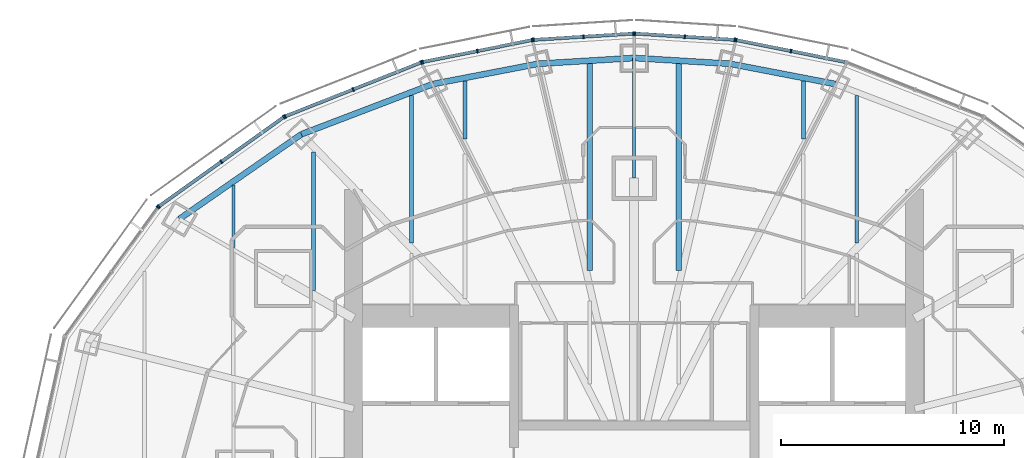
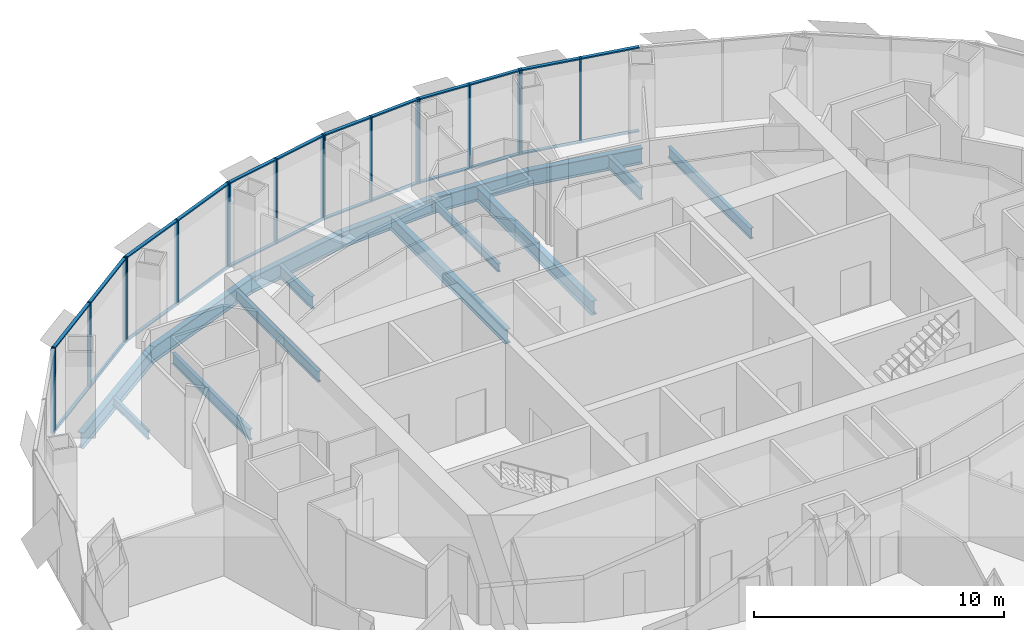
# One storey, part 8 of 18: 42 members, 15 beams, 7 elements without a shape of their own.
"""IFC4 building model written with IfcOpenShell, lengths in metres."""

from ifc_helpers import new_model, si_unit, direction, frame, origin, origin_2d, place, context, subcontext, project, spatial, rectangle, i_section, extrude, material, material_profile, profile_set, type_object, element, aggregate, save


model = new_model("IFC4")

# Units and contexts
model_context = context("Model", 3, precision=1e-05, world=origin(), true_north=direction((0.0, 1.0)))
body_context = subcontext(model_context, "Body", "Model", "MODEL_VIEW")
ifc_project = project(units=[si_unit("LENGTHUNIT", "METRE"), si_unit("AREAUNIT", "SQUARE_METRE"), si_unit("VOLUMEUNIT", "CUBIC_METRE"), si_unit("PLANEANGLEUNIT", "RADIAN"), si_unit("MASSUNIT", "GRAM", prefix="KILO")], contexts=[model_context])

# Site, building, storey
site_placement = place(None, origin())
site = spatial("IfcSite", under=ifc_project, at=site_placement, CompositionType="ELEMENT")
building_placement = place(site_placement, origin())
building = spatial("IfcBuilding", under=site, at=building_placement, Name="Lantaw Convention Tower", CompositionType="ELEMENT")
storey_placement = place(building_placement, frame((0.0, 0.0, 228.39990234375)))
storey = spatial("IfcBuildingStorey", under=building, at=storey_placement, Name="L53", CompositionType="ELEMENT", Elevation=228.39990234375)

# Beams
ifc_material_1 = material(Name="Steel ASTM A992", Category="steel")
ifc_material_profile_1 = material_profile(ifc_material_1, i_section(OverallWidth=0.2666015625, OverallDepth=0.76953125, WebThickness=0.015625, FlangeThickness=0.025390625, FilletRadius=0.0126953125, at=origin_2d()), Name="W30X132")
ifc_profile_set_1 = profile_set([ifc_material_profile_1], Name="Steel ASTM A992")
beam_type_1 = type_object("IfcBeamType", Name="Beam E W30X132", PredefinedType="SPANDREL", material=ifc_profile_set_1)
beam_1_placement = place(storey_placement, frame((9.03466796875, 17.7314453125, -0.53466796875), z_axis=(-0.981972091702, 0.189025953556, 0.0), x_axis=(-0.189025953556, -0.981972091702, 0.0)))
element("IfcBeam", 1, at=beam_1_placement, inside=storey, type_object=beam_type_1, Name="Edge beam 5", PredefinedType="SPANDREL", context=body_context, shape_type="SweptSolid", body=[
    extrude(i_section(OverallWidth=0.2666015625, OverallDepth=0.76953125, WebThickness=0.015625, FlangeThickness=0.025390625, FilletRadius=0.0126953125, at=origin_2d()), origin(), (0.0, 0.0, 1.0), 4.817626953125),
])
for number, where, z_axis, x_axis, name in (
    (2, (4.303955078125, 18.64208984375, -0.53466796875), (-0.998210730897, 0.059794119452, 0.0), (-0.059794119452, -0.998210730897, 0.0), "Edge beam 6"),
    (3, (0.0, 18.89990234375, -0.53466796875), (-0.998210730897, -0.059794119452, 0.0), (0.059794119452, -0.998210730897, 0.0), "Edge beam 7"),
):
    element("IfcBeam", number, at=place(storey_placement, frame(where, z_axis=z_axis, x_axis=x_axis)), inside=storey, type_object=beam_type_1, Name=name, PredefinedType="SPANDREL", context=body_context, shape_type="SweptSolid", body=[
        extrude(i_section(OverallWidth=0.2666015625, OverallDepth=0.76953125, WebThickness=0.015625, FlangeThickness=0.025390625, FilletRadius=0.0126953125, at=origin_2d()), origin(), (0.0, 0.0, 1.0), 4.311767578125),
    ])
beam_2_placement = place(storey_placement, frame((-4.303955078125, 18.64208984375, -0.53466796875), z_axis=(-0.981972091702, -0.189025953556, 0.0), x_axis=(0.189025953556, -0.981972091702, 0.0)))
element("IfcBeam", 4, at=beam_2_placement, inside=storey, type_object=beam_type_1, Name="Edge beam 8", PredefinedType="SPANDREL", context=body_context, shape_type="SweptSolid", body=[
    extrude(i_section(OverallWidth=0.2666015625, OverallDepth=0.76953125, WebThickness=0.015625, FlangeThickness=0.025390625, FilletRadius=0.0126953125, at=origin_2d()), origin(), (0.0, 0.0, 1.0), 4.817626953125),
])
beam_3_placement = place(storey_placement, frame((-9.03466796875, 17.7314453125, -0.53466796875), z_axis=(-0.934234988, -0.356658081637, 0.0), x_axis=(0.356658081637, -0.934234988, 0.0)))
element("IfcBeam", 5, at=beam_3_placement, inside=storey, type_object=beam_type_1, Name="Edge beam 9", PredefinedType="SPANDREL", context=body_context, shape_type="SweptSolid", body=[
    extrude(i_section(OverallWidth=0.2666015625, OverallDepth=0.76953125, WebThickness=0.015625, FlangeThickness=0.025390625, FilletRadius=0.0126953125, at=origin_2d()), origin(), (0.0, 0.0, 1.0), 6.32568359375),
])
beam_4_placement = place(storey_placement, frame((-14.9443359375, 15.475341796875, -0.53466796875), z_axis=(-0.82135329406, -0.570419815869, 0.0), x_axis=(0.570419815869, -0.82135329406, 0.0)))
element("IfcBeam", 6, at=beam_4_placement, inside=storey, type_object=beam_type_1, Name="Edge beam 10", PredefinedType="SPANDREL", context=body_context, shape_type="SweptSolid", body=[
    extrude(i_section(OverallWidth=0.2666015625, OverallDepth=0.76953125, WebThickness=0.015625, FlangeThickness=0.025390625, FilletRadius=0.0126953125, at=origin_2d()), origin(), (0.0, 0.0, 1.0), 6.67041015625),
])
ifc_material_profile_2 = material_profile(ifc_material_1, i_section(OverallWidth=0.140380859375, OverallDepth=0.40380859375, WebThickness=0.007080078125, FlangeThickness=0.01123046875, FilletRadius=0.01025390625, at=origin_2d()), Name="W16X31")
ifc_profile_set_2 = profile_set([ifc_material_profile_2], Name="Steel ASTM A992")
beam_type_2 = type_object("IfcBeamType", Name="Beam G W16X31", PredefinedType="BEAM", material=ifc_profile_set_2)
beam_5_placement = place(storey_placement, frame((0.0, 13.5, -0.351806640625), z_axis=(0.0, 1.0, 0.0), x_axis=(-1.0, 0.0, 0.0)))
element("IfcBeam", 7, at=beam_5_placement, inside=storey, type_object=beam_type_2, Name="Floor girder on ray 7", PredefinedType="BEAM", context=body_context, shape_type="SweptSolid", body=[
    extrude(i_section(OverallWidth=0.140380859375, OverallDepth=0.40380859375, WebThickness=0.007080078125, FlangeThickness=0.01123046875, FilletRadius=0.01025390625, at=origin_2d()), origin(), (0.0, 0.0, 1.0), 5.39990234375),
])
ifc_material_profile_3 = material_profile(ifc_material_1, i_section(OverallWidth=0.140380859375, OverallDepth=0.40380859375, WebThickness=0.007080078125, FlangeThickness=0.01123046875, FilletRadius=0.01025390625, at=origin_2d()), Name="W16X31")
ifc_profile_set_3 = profile_set([ifc_material_profile_3], Name="Steel ASTM A992")
beam_type_3 = type_object("IfcBeamType", Name="Beam J W16X31", PredefinedType="JOIST", material=ifc_profile_set_3)
beam_6_placement = place(storey_placement, frame((-18.0, 10.380859375, -0.351806640625), z_axis=(0.0, 1.0, 0.0), x_axis=(-1.0, 0.0, 0.0)))
element("IfcBeam", 8, at=beam_6_placement, inside=storey, type_object=beam_type_3, Name="Floor joist", PredefinedType="JOIST", context=body_context, shape_type="SweptSolid", body=[
    extrude(i_section(OverallWidth=0.140380859375, OverallDepth=0.40380859375, WebThickness=0.007080078125, FlangeThickness=0.01123046875, FilletRadius=0.01025390625, at=origin_2d()), origin(), (0.0, 0.0, 1.0), 2.81005859375),
])
ifc_material_profile_4 = material_profile(ifc_material_1, i_section(OverallWidth=0.1650390625, OverallDepth=0.52587890625, WebThickness=0.0087890625, FlangeThickness=0.011474609375, FilletRadius=0.0126953125, at=origin_2d()), Name="W21X44")
ifc_profile_set_4 = profile_set([ifc_material_profile_4], Name="Steel ASTM A992")
beam_type_4 = type_object("IfcBeamType", Name="Beam J W21X44", PredefinedType="JOIST", material=ifc_profile_set_4)
beam_7_placement = place(storey_placement, frame((-14.39990234375, 8.461181640625, -0.412841796875), z_axis=(0.0, 1.0, 0.0), x_axis=(-1.0, 0.0, 0.0)))
element("IfcBeam", 9, at=beam_7_placement, inside=storey, type_object=beam_type_4, Name="Floor joist", PredefinedType="JOIST", context=body_context, shape_type="SweptSolid", body=[
    extrude(i_section(OverallWidth=0.1650390625, OverallDepth=0.52587890625, WebThickness=0.0087890625, FlangeThickness=0.011474609375, FilletRadius=0.0126953125, at=origin_2d()), origin(), (0.0, 0.0, 1.0), 6.214599609375),
])
for number, where, z_axis, x_axis, name in (
    (10, (-10.0, 10.591064453125, -0.412841796875), (0.0, 1.0, 0.0), (-1.0, 0.0, 0.0), "Floor joist"),
    (11, (10.0, 10.591064453125, -0.412841796875), (0.0, 1.0, 0.0), (-1.0, 0.0, 0.0), "Floor joist"),
):
    element("IfcBeam", number, at=place(storey_placement, frame(where, z_axis=z_axis, x_axis=x_axis)), inside=storey, type_object=beam_type_4, Name=name, PredefinedType="JOIST", context=body_context, shape_type="SweptSolid", body=[
        extrude(i_section(OverallWidth=0.1650390625, OverallDepth=0.52587890625, WebThickness=0.0087890625, FlangeThickness=0.011474609375, FilletRadius=0.0126953125, at=origin_2d()), origin(), (0.0, 0.0, 1.0), 6.629150390625),
    ])
ifc_material_profile_5 = material_profile(ifc_material_1, i_section(OverallWidth=0.177978515625, OverallDepth=0.599365234375, WebThickness=0.010009765625, FlangeThickness=0.012939453125, FilletRadius=0.012939453125, at=origin_2d()), Name="W24X55")
ifc_profile_set_5 = profile_set([ifc_material_profile_5], Name="Steel ASTM A992")
beam_type_5 = type_object("IfcBeamType", Name="Beam J W24X55", PredefinedType="JOIST", material=ifc_profile_set_5)
for number, where, z_axis, x_axis, name in (
    (12, (-7.60009765625, 15.25439453125, -0.44970703125), (0.0, 1.0, 0.0), (-1.0, 0.0, 0.0), "Floor joist"),
    (13, (7.60009765625, 15.25439453125, -0.44970703125), (0.0, 1.0, 0.0), (-1.0, 0.0, 0.0), "Floor joist"),
):
    element("IfcBeam", number, at=place(storey_placement, frame(where, z_axis=z_axis, x_axis=x_axis)), inside=storey, type_object=beam_type_5, Name=name, PredefinedType="JOIST", context=body_context, shape_type="SweptSolid", body=[
        extrude(i_section(OverallWidth=0.177978515625, OverallDepth=0.599365234375, WebThickness=0.010009765625, FlangeThickness=0.012939453125, FilletRadius=0.012939453125, at=origin_2d()), origin(), (0.0, 0.0, 1.0), 2.617431640625),
    ])
ifc_material_profile_6 = material_profile(ifc_material_1, i_section(OverallWidth=0.25390625, OverallDepth=0.683349609375, WebThickness=0.012451171875, FlangeThickness=0.01904296875, FilletRadius=0.01513671875, at=origin_2d()), Name="W27X94")
ifc_profile_set_6 = profile_set([ifc_material_profile_6], Name="Steel ASTM A992")
beam_type_6 = type_object("IfcBeamType", Name="Beam J W27X94", PredefinedType="JOIST", material=ifc_profile_set_6)
for number, where, z_axis, x_axis, name in (
    (14, (-2.0, 9.34619140625, -0.491455078125), (0.0, 1.0, 0.0), (-1.0, 0.0, 0.0), "Floor joist"),
    (15, (2.0, 9.34619140625, -0.491455078125), (0.0, 1.0, 0.0), (-1.0, 0.0, 0.0), "Floor joist"),
):
    element("IfcBeam", number, at=place(storey_placement, frame(where, z_axis=z_axis, x_axis=x_axis)), inside=storey, type_object=beam_type_6, Name=name, PredefinedType="JOIST", context=body_context, shape_type="SweptSolid", body=[
        extrude(i_section(OverallWidth=0.25390625, OverallDepth=0.683349609375, WebThickness=0.012451171875, FlangeThickness=0.01904296875, FilletRadius=0.01513671875, at=origin_2d()), origin(), (0.0, 0.0, 1.0), 9.30029296875),
    ])

# Curtain wall, members
ifc_material_2 = material(Name="Aluminium framed curtain wall", Category="aluminium")
curtain_wall_type = type_object("IfcCurtainWallType", Name="Office curtain wall high rise, pale aluminium", PredefinedType="USERDEFINED", material=ifc_material_2)
curtain_wall_1_placement = place(storey_placement, origin())
curtain_wall_1 = element("IfcCurtainWall", 16, at=curtain_wall_1_placement, inside=storey, type_object=curtain_wall_type, Name="Office curtain wall high rise, pale aluminium L53", ObjectType="UNITISED CURTAIN WALL", PredefinedType="USERDEFINED")
ifc_material_3 = material(Name="Aluminium 6063-T6", Category="aluminium")
ifc_material_profile_7 = material_profile(ifc_material_3, rectangle(XDim=0.179931640625, YDim=0.06494140625, at=origin_2d()), Name="CW-O2 mullion 65x180")
ifc_profile_set_7 = profile_set([ifc_material_profile_7], Name="Aluminium 6063-T6")
member_type_1 = type_object("IfcMemberType", Name="CW-O2 mullion 65x180", PredefinedType="MULLION", material=ifc_profile_set_7)
member_1_placement = place(storey_placement, frame((7.042724609375, 19.212646484375, -0.14990234375), z_axis=(0.0, 0.0, 1.0), x_axis=(-0.197183095987, -0.980366679695, 0.0)))
member_1 = element("IfcMember", 17, at=member_1_placement, type_object=member_type_1, Name="CW-O2 mullion 2", PredefinedType="MULLION", context=body_context, shape_type="SweptSolid", body=[
    extrude(rectangle(XDim=0.179931640625, YDim=0.06494140625, at=origin_2d()), origin(), (0.0, 0.0, 1.0), 4.14990234375),
])
member_2_placement = place(storey_placement, frame((4.583251953125, 19.70751953125, -0.14990234375), z_axis=(0.0, 0.0, 1.0), x_axis=(-0.197183095987, -0.980366679695, 0.0)))
member_2 = element("IfcMember", 18, at=member_2_placement, type_object=member_type_1, Name="CW-O2 mullion 3", PredefinedType="MULLION", context=body_context, shape_type="SweptSolid", body=[
    extrude(rectangle(XDim=0.179931640625, YDim=0.06494140625, at=origin_2d()), origin(), (0.0, 0.0, 1.0), 4.14990234375),
])

curtain_wall_2_placement = place(storey_placement, origin())
curtain_wall_2 = element("IfcCurtainWall", 19, at=curtain_wall_2_placement, inside=storey, type_object=curtain_wall_type, Name="Office curtain wall high rise, pale aluminium L53", ObjectType="UNITISED CURTAIN WALL", PredefinedType="USERDEFINED")
member_3_placement = place(storey_placement, frame((4.518798828125, 19.7158203125, -0.14990234375), z_axis=(0.0, 0.0, 1.0), x_axis=(-0.062757983884, -0.998028774865, 0.0)))
member_3 = element("IfcMember", 20, at=member_3_placement, type_object=member_type_1, Name="CW-O2 mullion 1", PredefinedType="MULLION", context=body_context, shape_type="SweptSolid", body=[
    extrude(rectangle(XDim=0.179931640625, YDim=0.06494140625, at=origin_2d()), origin(), (0.0, 0.0, 1.0), 4.14990234375),
])
member_4_placement = place(storey_placement, frame((2.275634765625, 19.85693359375, -0.14990234375), z_axis=(0.0, 0.0, 1.0), x_axis=(-0.062757983884, -0.998028774865, 0.0)))
member_4 = element("IfcMember", 21, at=member_4_placement, type_object=member_type_1, Name="CW-O2 mullion 2", PredefinedType="MULLION", context=body_context, shape_type="SweptSolid", body=[
    extrude(rectangle(XDim=0.179931640625, YDim=0.06494140625, at=origin_2d()), origin(), (0.0, 0.0, 1.0), 4.14990234375),
])
member_5_placement = place(storey_placement, frame((0.032470703125, 19.998046875, -0.14990234375), z_axis=(0.0, 0.0, 1.0), x_axis=(-0.062757983884, -0.998028774865, 0.0)))
member_5 = element("IfcMember", 22, at=member_5_placement, type_object=member_type_1, Name="CW-O2 mullion 3", PredefinedType="MULLION", context=body_context, shape_type="SweptSolid", body=[
    extrude(rectangle(XDim=0.179931640625, YDim=0.06494140625, at=origin_2d()), origin(), (0.0, 0.0, 1.0), 4.14990234375),
])

curtain_wall_3_placement = place(storey_placement, origin())
curtain_wall_3 = element("IfcCurtainWall", 23, at=curtain_wall_3_placement, inside=storey, type_object=curtain_wall_type, Name="Office curtain wall high rise, pale aluminium L53", ObjectType="UNITISED CURTAIN WALL", PredefinedType="USERDEFINED")
member_6_placement = place(storey_placement, frame((-0.032470703125, 19.998046875, -0.14990234375), z_axis=(0.0, 0.0, 1.0), x_axis=(0.062757983884, -0.998028774865, 0.0)))
member_6 = element("IfcMember", 24, at=member_6_placement, type_object=member_type_1, Name="CW-O2 mullion 1", PredefinedType="MULLION", context=body_context, shape_type="SweptSolid", body=[
    extrude(rectangle(XDim=0.179931640625, YDim=0.06494140625, at=origin_2d()), origin(), (0.0, 0.0, 1.0), 4.14990234375),
])
member_7_placement = place(storey_placement, frame((-2.275634765625, 19.85693359375, -0.14990234375), z_axis=(0.0, 0.0, 1.0), x_axis=(0.062757983884, -0.998028774865, 0.0)))
member_7 = element("IfcMember", 25, at=member_7_placement, type_object=member_type_1, Name="CW-O2 mullion 2", PredefinedType="MULLION", context=body_context, shape_type="SweptSolid", body=[
    extrude(rectangle(XDim=0.179931640625, YDim=0.06494140625, at=origin_2d()), origin(), (0.0, 0.0, 1.0), 4.14990234375),
])
member_8_placement = place(storey_placement, frame((-4.518798828125, 19.7158203125, -0.14990234375), z_axis=(0.0, 0.0, 1.0), x_axis=(0.062757983884, -0.998028774865, 0.0)))
member_8 = element("IfcMember", 26, at=member_8_placement, type_object=member_type_1, Name="CW-O2 mullion 3", PredefinedType="MULLION", context=body_context, shape_type="SweptSolid", body=[
    extrude(rectangle(XDim=0.179931640625, YDim=0.06494140625, at=origin_2d()), origin(), (0.0, 0.0, 1.0), 4.14990234375),
])

curtain_wall_4_placement = place(storey_placement, origin())
curtain_wall_4 = element("IfcCurtainWall", 27, at=curtain_wall_4_placement, inside=storey, type_object=curtain_wall_type, Name="Office curtain wall high rise, pale aluminium L53", ObjectType="UNITISED CURTAIN WALL", PredefinedType="USERDEFINED")
member_9_placement = place(storey_placement, frame((-4.583251953125, 19.70751953125, -0.14990234375), z_axis=(0.0, 0.0, 1.0), x_axis=(0.197183095987, -0.980366679695, 0.0)))
member_9 = element("IfcMember", 28, at=member_9_placement, type_object=member_type_1, Name="CW-O2 mullion 1", PredefinedType="MULLION", context=body_context, shape_type="SweptSolid", body=[
    extrude(rectangle(XDim=0.179931640625, YDim=0.06494140625, at=origin_2d()), origin(), (0.0, 0.0, 1.0), 4.14990234375),
])
member_10_placement = place(storey_placement, frame((-7.042724609375, 19.212646484375, -0.14990234375), z_axis=(0.0, 0.0, 1.0), x_axis=(0.197183095987, -0.980366679695, 0.0)))
member_10 = element("IfcMember", 29, at=member_10_placement, type_object=member_type_1, Name="CW-O2 mullion 2", PredefinedType="MULLION", context=body_context, shape_type="SweptSolid", body=[
    extrude(rectangle(XDim=0.179931640625, YDim=0.06494140625, at=origin_2d()), origin(), (0.0, 0.0, 1.0), 4.14990234375),
])
member_11_placement = place(storey_placement, frame((-9.502197265625, 18.718017578125, -0.14990234375), z_axis=(0.0, 0.0, 1.0), x_axis=(0.197183095987, -0.980366679695, 0.0)))
member_11 = element("IfcMember", 30, at=member_11_placement, type_object=member_type_1, Name="CW-O2 mullion 3", PredefinedType="MULLION", context=body_context, shape_type="SweptSolid", body=[
    extrude(rectangle(XDim=0.179931640625, YDim=0.06494140625, at=origin_2d()), origin(), (0.0, 0.0, 1.0), 4.14990234375),
])

curtain_wall_5_placement = place(storey_placement, origin())
curtain_wall_5 = element("IfcCurtainWall", 31, at=curtain_wall_5_placement, inside=storey, type_object=curtain_wall_type, Name="Office curtain wall high rise, pale aluminium L53", ObjectType="UNITISED CURTAIN WALL", PredefinedType="USERDEFINED")
member_12_placement = place(storey_placement, frame((-9.564208984375, 18.69970703125, -0.14990234375), z_axis=(0.0, 0.0, 1.0), x_axis=(0.368162315252, -0.929761533743, 0.0)))
member_12 = element("IfcMember", 32, at=member_12_placement, type_object=member_type_1, Name="CW-O2 mullion 1", PredefinedType="MULLION", context=body_context, shape_type="SweptSolid", body=[
    extrude(rectangle(XDim=0.179931640625, YDim=0.06494140625, at=origin_2d()), origin(), (0.0, 0.0, 1.0), 4.14990234375),
])
member_13_placement = place(storey_placement, frame((-12.621337890625, 17.4892578125, -0.14990234375), z_axis=(0.0, 0.0, 1.0), x_axis=(0.368162315252, -0.929761533743, 0.0)))
member_13 = element("IfcMember", 33, at=member_13_placement, type_object=member_type_1, Name="CW-O2 mullion 2", PredefinedType="MULLION", context=body_context, shape_type="SweptSolid", body=[
    extrude(rectangle(XDim=0.179931640625, YDim=0.06494140625, at=origin_2d()), origin(), (0.0, 0.0, 1.0), 4.14990234375),
])
member_14_placement = place(storey_placement, frame((-15.67822265625, 16.278564453125, -0.14990234375), z_axis=(0.0, 0.0, 1.0), x_axis=(0.368162315252, -0.929761533743, 0.0)))
member_14 = element("IfcMember", 34, at=member_14_placement, type_object=member_type_1, Name="CW-O2 mullion 3", PredefinedType="MULLION", context=body_context, shape_type="SweptSolid", body=[
    extrude(rectangle(XDim=0.179931640625, YDim=0.06494140625, at=origin_2d()), origin(), (0.0, 0.0, 1.0), 4.14990234375),
])

curtain_wall_6_placement = place(storey_placement, origin())
curtain_wall_6 = element("IfcCurtainWall", 35, at=curtain_wall_6_placement, inside=storey, type_object=curtain_wall_type, Name="Office curtain wall high rise, pale aluminium L53", ObjectType="UNITISED CURTAIN WALL", PredefinedType="USERDEFINED")
member_15_placement = place(storey_placement, frame((-15.73486328125, 16.247802734375, -0.14990234375), z_axis=(0.0, 0.0, 1.0), x_axis=(0.581323487281, -0.813672540482, 0.0)))
member_15 = element("IfcMember", 36, at=member_15_placement, type_object=member_type_1, Name="CW-O2 mullion 1", PredefinedType="MULLION", context=body_context, shape_type="SweptSolid", body=[
    extrude(rectangle(XDim=0.179931640625, YDim=0.06494140625, at=origin_2d()), origin(), (0.0, 0.0, 1.0), 4.14990234375),
])
member_16_placement = place(storey_placement, frame((-18.543212890625, 14.241455078125, -0.14990234375), z_axis=(0.0, 0.0, 1.0), x_axis=(0.581323487281, -0.813672540482, 0.0)))
member_16 = element("IfcMember", 37, at=member_16_placement, type_object=member_type_1, Name="CW-O2 mullion 2", PredefinedType="MULLION", context=body_context, shape_type="SweptSolid", body=[
    extrude(rectangle(XDim=0.179931640625, YDim=0.06494140625, at=origin_2d()), origin(), (0.0, 0.0, 1.0), 4.14990234375),
])
member_17_placement = place(storey_placement, frame((-21.3515625, 12.23486328125, -0.14990234375), z_axis=(0.0, 0.0, 1.0), x_axis=(0.581323487281, -0.813672540482, 0.0)))
member_17 = element("IfcMember", 38, at=member_17_placement, type_object=member_type_1, Name="CW-O2 mullion 3", PredefinedType="MULLION", context=body_context, shape_type="SweptSolid", body=[
    extrude(rectangle(XDim=0.179931640625, YDim=0.06494140625, at=origin_2d()), origin(), (0.0, 0.0, 1.0), 4.14990234375),
])

# Curtain wall, member
curtain_wall_7_placement = place(storey_placement, origin())
curtain_wall_7 = element("IfcCurtainWall", 39, at=curtain_wall_7_placement, inside=storey, type_object=curtain_wall_type, Name="Office curtain wall high rise, pale aluminium L53", ObjectType="UNITISED CURTAIN WALL", PredefinedType="USERDEFINED")
member_18_placement = place(storey_placement, frame((-21.397216796875, 12.189697265625, -0.14990234375), z_axis=(0.0, 0.0, 1.0), x_axis=(0.810919559405, -0.585157643865, 0.0)))
member_18 = element("IfcMember", 40, at=member_18_placement, type_object=member_type_1, Name="CW-O2 mullion 1", PredefinedType="MULLION", context=body_context, shape_type="SweptSolid", body=[
    extrude(rectangle(XDim=0.179931640625, YDim=0.06494140625, at=origin_2d()), origin(), (0.0, 0.0, 1.0), 4.14990234375),
])
aggregate(curtain_wall_7, [member_18])

# Member
ifc_material_profile_8 = material_profile(ifc_material_3, rectangle(XDim=0.14990234375, YDim=0.06494140625, at=origin_2d()), Name="CW-O2 transom 65x150")
ifc_profile_set_8 = profile_set([ifc_material_profile_8], Name="Aluminium 6063-T6")
member_type_2 = type_object("IfcMemberType", Name="CW-O2 transom 65x150", PredefinedType="USERDEFINED", material=ifc_profile_set_8)
member_19_placement = place(storey_placement, frame((9.47021484375, 18.724365234375, -0.117431640625), z_axis=(-0.98036104319, 0.197211117829, 0.0), x_axis=(-0.197211117829, -0.98036104319, 0.0)))
member_19 = element("IfcMember", 41, at=member_19_placement, type_object=member_type_2, Name="CW-O2 transom 1.1", ObjectType="TRANSOM", PredefinedType="USERDEFINED", context=body_context, shape_type="SweptSolid", body=[
    extrude(rectangle(XDim=0.14990234375, YDim=0.06494140625, at=origin_2d()), origin(), (0.0, 0.0, 1.0), 2.44384765625),
])

member_20_placement = place(storey_placement, frame((9.47021484375, 18.724365234375, 3.967529296875), z_axis=(-0.98036104319, 0.197211117829, 0.0), x_axis=(-0.197211117829, -0.98036104319, 0.0)))
member_20 = element("IfcMember", 42, at=member_20_placement, type_object=member_type_2, Name="CW-O2 transom 1.2", ObjectType="TRANSOM", PredefinedType="USERDEFINED", context=body_context, shape_type="SweptSolid", body=[
    extrude(rectangle(XDim=0.14990234375, YDim=0.06494140625, at=origin_2d()), origin(), (0.0, 0.0, 1.0), 2.44384765625),
])

member_21_placement = place(storey_placement, frame((7.0107421875, 19.21923828125, -0.117431640625), z_axis=(-0.980380354178, 0.197115096178, 0.0), x_axis=(-0.197115096178, -0.980380354178, 0.0)))
member_21 = element("IfcMember", 43, at=member_21_placement, type_object=member_type_2, Name="CW-O2 transom 2.1", ObjectType="TRANSOM", PredefinedType="USERDEFINED", context=body_context, shape_type="SweptSolid", body=[
    extrude(rectangle(XDim=0.14990234375, YDim=0.06494140625, at=origin_2d()), origin(), (0.0, 0.0, 1.0), 2.443603515625),
])

member_22_placement = place(storey_placement, frame((7.0107421875, 19.21923828125, 3.967529296875), z_axis=(-0.980380354178, 0.197115096178, 0.0), x_axis=(-0.197115096178, -0.980380354178, 0.0)))
member_22 = element("IfcMember", 44, at=member_22_placement, type_object=member_type_2, Name="CW-O2 transom 2.2", ObjectType="TRANSOM", PredefinedType="USERDEFINED", context=body_context, shape_type="SweptSolid", body=[
    extrude(rectangle(XDim=0.14990234375, YDim=0.06494140625, at=origin_2d()), origin(), (0.0, 0.0, 1.0), 2.443603515625),
])

aggregate(curtain_wall_1, [member_1, member_2, member_19, member_20, member_21, member_22])

member_23_placement = place(storey_placement, frame((4.486328125, 19.7177734375, -0.117431640625), z_axis=(-0.998021991509, 0.062865765437, 0.0), x_axis=(-0.062865765437, -0.998021991509, 0.0)))
member_23 = element("IfcMember", 45, at=member_23_placement, type_object=member_type_2, Name="CW-O2 transom 1.1", ObjectType="TRANSOM", PredefinedType="USERDEFINED", context=body_context, shape_type="SweptSolid", body=[
    extrude(rectangle(XDim=0.14990234375, YDim=0.06494140625, at=origin_2d()), origin(), (0.0, 0.0, 1.0), 2.1826171875),
])

member_24_placement = place(storey_placement, frame((4.486328125, 19.7177734375, 3.967529296875), z_axis=(-0.998021991509, 0.062865765437, 0.0), x_axis=(-0.062865765437, -0.998021991509, 0.0)))
member_24 = element("IfcMember", 46, at=member_24_placement, type_object=member_type_2, Name="CW-O2 transom 1.2", ObjectType="TRANSOM", PredefinedType="USERDEFINED", context=body_context, shape_type="SweptSolid", body=[
    extrude(rectangle(XDim=0.14990234375, YDim=0.06494140625, at=origin_2d()), origin(), (0.0, 0.0, 1.0), 2.1826171875),
])

member_25_placement = place(storey_placement, frame((2.2431640625, 19.85888671875, -0.117431640625), z_axis=(-0.998029003644, 0.062754345555, 0.0), x_axis=(-0.062754345555, -0.998029003644, 0.0)))
member_25 = element("IfcMember", 47, at=member_25_placement, type_object=member_type_2, Name="CW-O2 transom 2.1", ObjectType="TRANSOM", PredefinedType="USERDEFINED", context=body_context, shape_type="SweptSolid", body=[
    extrude(rectangle(XDim=0.14990234375, YDim=0.06494140625, at=origin_2d()), origin(), (0.0, 0.0, 1.0), 2.1826171875),
])

member_26_placement = place(storey_placement, frame((2.2431640625, 19.85888671875, 3.967529296875), z_axis=(-0.998029003644, 0.062754345555, 0.0), x_axis=(-0.062754345555, -0.998029003644, 0.0)))
member_26 = element("IfcMember", 48, at=member_26_placement, type_object=member_type_2, Name="CW-O2 transom 2.2", ObjectType="TRANSOM", PredefinedType="USERDEFINED", context=body_context, shape_type="SweptSolid", body=[
    extrude(rectangle(XDim=0.14990234375, YDim=0.06494140625, at=origin_2d()), origin(), (0.0, 0.0, 1.0), 2.1826171875),
])

aggregate(curtain_wall_2, [member_3, member_4, member_5, member_23, member_24, member_25, member_26])

member_27_placement = place(storey_placement, frame((-0.06494140625, 19.995849609375, -0.117431640625), z_axis=(-0.998029003644, -0.062754345555, 0.0), x_axis=(0.062754345555, -0.998029003644, 0.0)))
member_27 = element("IfcMember", 49, at=member_27_placement, type_object=member_type_2, Name="CW-O2 transom 1.1", ObjectType="TRANSOM", PredefinedType="USERDEFINED", context=body_context, shape_type="SweptSolid", body=[
    extrude(rectangle(XDim=0.14990234375, YDim=0.06494140625, at=origin_2d()), origin(), (0.0, 0.0, 1.0), 2.1826171875),
])

member_28_placement = place(storey_placement, frame((-0.06494140625, 19.995849609375, 3.967529296875), z_axis=(-0.998029003644, -0.062754345555, 0.0), x_axis=(0.062754345555, -0.998029003644, 0.0)))
member_28 = element("IfcMember", 50, at=member_28_placement, type_object=member_type_2, Name="CW-O2 transom 1.2", ObjectType="TRANSOM", PredefinedType="USERDEFINED", context=body_context, shape_type="SweptSolid", body=[
    extrude(rectangle(XDim=0.14990234375, YDim=0.06494140625, at=origin_2d()), origin(), (0.0, 0.0, 1.0), 2.1826171875),
])

member_29_placement = place(storey_placement, frame((-2.30810546875, 19.85498046875, -0.117431640625), z_axis=(-0.998021991509, -0.062865765437, 0.0), x_axis=(0.062865765437, -0.998021991509, 0.0)))
member_29 = element("IfcMember", 51, at=member_29_placement, type_object=member_type_2, Name="CW-O2 transom 2.1", ObjectType="TRANSOM", PredefinedType="USERDEFINED", context=body_context, shape_type="SweptSolid", body=[
    extrude(rectangle(XDim=0.14990234375, YDim=0.06494140625, at=origin_2d()), origin(), (0.0, 0.0, 1.0), 2.1826171875),
])

member_30_placement = place(storey_placement, frame((-2.30810546875, 19.85498046875, 3.967529296875), z_axis=(-0.998021991509, -0.062865765437, 0.0), x_axis=(0.062865765437, -0.998021991509, 0.0)))
member_30 = element("IfcMember", 52, at=member_30_placement, type_object=member_type_2, Name="CW-O2 transom 2.2", ObjectType="TRANSOM", PredefinedType="USERDEFINED", context=body_context, shape_type="SweptSolid", body=[
    extrude(rectangle(XDim=0.14990234375, YDim=0.06494140625, at=origin_2d()), origin(), (0.0, 0.0, 1.0), 2.1826171875),
])

aggregate(curtain_wall_3, [member_6, member_7, member_8, member_27, member_28, member_29, member_30])

member_31_placement = place(storey_placement, frame((-4.614990234375, 19.700927734375, -0.117431640625), z_axis=(-0.980380354178, -0.197115096178, 0.0), x_axis=(0.197115096178, -0.980380354178, 0.0)))
member_31 = element("IfcMember", 53, at=member_31_placement, type_object=member_type_2, Name="CW-O2 transom 1.1", ObjectType="TRANSOM", PredefinedType="USERDEFINED", context=body_context, shape_type="SweptSolid", body=[
    extrude(rectangle(XDim=0.14990234375, YDim=0.06494140625, at=origin_2d()), origin(), (0.0, 0.0, 1.0), 2.443603515625),
])

member_32_placement = place(storey_placement, frame((-4.614990234375, 19.700927734375, 3.967529296875), z_axis=(-0.980380354178, -0.197115096178, 0.0), x_axis=(0.197115096178, -0.980380354178, 0.0)))
member_32 = element("IfcMember", 54, at=member_32_placement, type_object=member_type_2, Name="CW-O2 transom 1.2", ObjectType="TRANSOM", PredefinedType="USERDEFINED", context=body_context, shape_type="SweptSolid", body=[
    extrude(rectangle(XDim=0.14990234375, YDim=0.06494140625, at=origin_2d()), origin(), (0.0, 0.0, 1.0), 2.443603515625),
])

member_33_placement = place(storey_placement, frame((-7.074462890625, 19.206298828125, -0.117431640625), z_axis=(-0.98036104319, -0.197211117829, 0.0), x_axis=(0.197211117829, -0.98036104319, 0.0)))
member_33 = element("IfcMember", 55, at=member_33_placement, type_object=member_type_2, Name="CW-O2 transom 2.1", ObjectType="TRANSOM", PredefinedType="USERDEFINED", context=body_context, shape_type="SweptSolid", body=[
    extrude(rectangle(XDim=0.14990234375, YDim=0.06494140625, at=origin_2d()), origin(), (0.0, 0.0, 1.0), 2.44384765625),
])

member_34_placement = place(storey_placement, frame((-7.074462890625, 19.206298828125, 3.967529296875), z_axis=(-0.98036104319, -0.197211117829, 0.0), x_axis=(0.197211117829, -0.98036104319, 0.0)))
member_34 = element("IfcMember", 56, at=member_34_placement, type_object=member_type_2, Name="CW-O2 transom 2.2", ObjectType="TRANSOM", PredefinedType="USERDEFINED", context=body_context, shape_type="SweptSolid", body=[
    extrude(rectangle(XDim=0.14990234375, YDim=0.06494140625, at=origin_2d()), origin(), (0.0, 0.0, 1.0), 2.44384765625),
])

aggregate(curtain_wall_4, [member_9, member_10, member_11, member_31, member_32, member_33, member_34])

member_35_placement = place(storey_placement, frame((-9.594482421875, 18.687744140625, -0.117431640625), z_axis=(-0.929766642946, -0.368149412149, 0.0), x_axis=(0.368149412149, -0.929766642946, 0.0)))
member_35 = element("IfcMember", 57, at=member_35_placement, type_object=member_type_2, Name="CW-O2 transom 1.1", ObjectType="TRANSOM", PredefinedType="USERDEFINED", context=body_context, shape_type="SweptSolid", body=[
    extrude(rectangle(XDim=0.14990234375, YDim=0.06494140625, at=origin_2d()), origin(), (0.0, 0.0, 1.0), 3.222900390625),
])

member_36_placement = place(storey_placement, frame((-9.594482421875, 18.687744140625, 3.967529296875), z_axis=(-0.929766642946, -0.368149412149, 0.0), x_axis=(0.368149412149, -0.929766642946, 0.0)))
member_36 = element("IfcMember", 58, at=member_36_placement, type_object=member_type_2, Name="CW-O2 transom 1.2", ObjectType="TRANSOM", PredefinedType="USERDEFINED", context=body_context, shape_type="SweptSolid", body=[
    extrude(rectangle(XDim=0.14990234375, YDim=0.06494140625, at=origin_2d()), origin(), (0.0, 0.0, 1.0), 3.222900390625),
])

member_37_placement = place(storey_placement, frame((-12.651611328125, 17.477294921875, -0.117431640625), z_axis=(-0.929740712354, -0.368214893495, 0.0), x_axis=(0.368214893495, -0.929740712354, 0.0)))
member_37 = element("IfcMember", 59, at=member_37_placement, type_object=member_type_2, Name="CW-O2 transom 2.1", ObjectType="TRANSOM", PredefinedType="USERDEFINED", context=body_context, shape_type="SweptSolid", body=[
    extrude(rectangle(XDim=0.14990234375, YDim=0.06494140625, at=origin_2d()), origin(), (0.0, 0.0, 1.0), 3.22314453125),
])

member_38_placement = place(storey_placement, frame((-12.651611328125, 17.477294921875, 3.967529296875), z_axis=(-0.929740712354, -0.368214893495, 0.0), x_axis=(0.368214893495, -0.929740712354, 0.0)))
member_38 = element("IfcMember", 60, at=member_38_placement, type_object=member_type_2, Name="CW-O2 transom 2.2", ObjectType="TRANSOM", PredefinedType="USERDEFINED", context=body_context, shape_type="SweptSolid", body=[
    extrude(rectangle(XDim=0.14990234375, YDim=0.06494140625, at=origin_2d()), origin(), (0.0, 0.0, 1.0), 3.22314453125),
])

aggregate(curtain_wall_5, [member_12, member_13, member_14, member_35, member_36, member_37, member_38])

member_39_placement = place(storey_placement, frame((-15.761474609375, 16.22900390625, -0.117431640625), z_axis=(-0.813645780821, -0.581360940683, 0.0), x_axis=(0.581360940683, -0.813645780821, 0.0)))
member_39 = element("IfcMember", 61, at=member_39_placement, type_object=member_type_2, Name="CW-O2 transom 1.1", ObjectType="TRANSOM", PredefinedType="USERDEFINED", context=body_context, shape_type="SweptSolid", body=[
    extrude(rectangle(XDim=0.14990234375, YDim=0.06494140625, at=origin_2d()), origin(), (0.0, 0.0, 1.0), 3.386474609375),
])

member_40_placement = place(storey_placement, frame((-15.761474609375, 16.22900390625, 3.967529296875), z_axis=(-0.813645780821, -0.581360940683, 0.0), x_axis=(0.581360940683, -0.813645780821, 0.0)))
member_40 = element("IfcMember", 62, at=member_40_placement, type_object=member_type_2, Name="CW-O2 transom 1.2", ObjectType="TRANSOM", PredefinedType="USERDEFINED", context=body_context, shape_type="SweptSolid", body=[
    extrude(rectangle(XDim=0.14990234375, YDim=0.06494140625, at=origin_2d()), origin(), (0.0, 0.0, 1.0), 3.386474609375),
])

member_41_placement = place(storey_placement, frame((-18.56982421875, 14.222412109375, -0.117431640625), z_axis=(-0.813679882592, -0.581313210468, 0.0), x_axis=(0.581313210468, -0.813679882592, 0.0)))
member_41 = element("IfcMember", 63, at=member_41_placement, type_object=member_type_2, Name="CW-O2 transom 2.1", ObjectType="TRANSOM", PredefinedType="USERDEFINED", context=body_context, shape_type="SweptSolid", body=[
    extrude(rectangle(XDim=0.14990234375, YDim=0.06494140625, at=origin_2d()), origin(), (0.0, 0.0, 1.0), 3.38623046875),
])

member_42_placement = place(storey_placement, frame((-18.56982421875, 14.222412109375, 3.967529296875), z_axis=(-0.813679882592, -0.581313210468, 0.0), x_axis=(0.581313210468, -0.813679882592, 0.0)))
member_42 = element("IfcMember", 64, at=member_42_placement, type_object=member_type_2, Name="CW-O2 transom 2.2", ObjectType="TRANSOM", PredefinedType="USERDEFINED", context=body_context, shape_type="SweptSolid", body=[
    extrude(rectangle(XDim=0.14990234375, YDim=0.06494140625, at=origin_2d()), origin(), (0.0, 0.0, 1.0), 3.38623046875),
])

aggregate(curtain_wall_6, [member_15, member_16, member_17, member_39, member_40, member_41, member_42])

save(model, "model.ifc")
